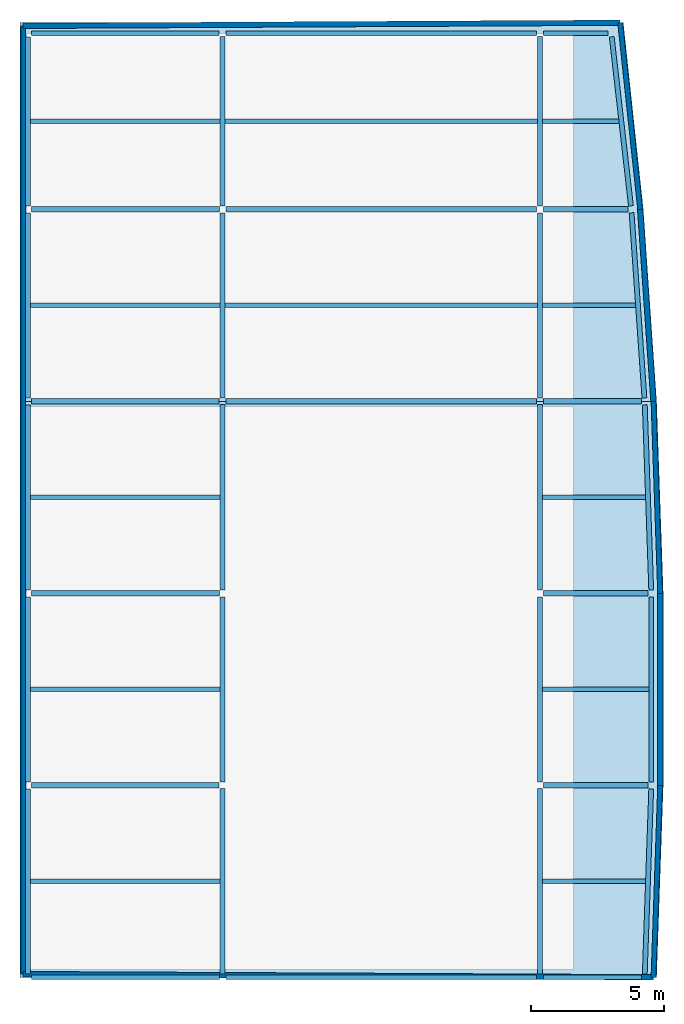
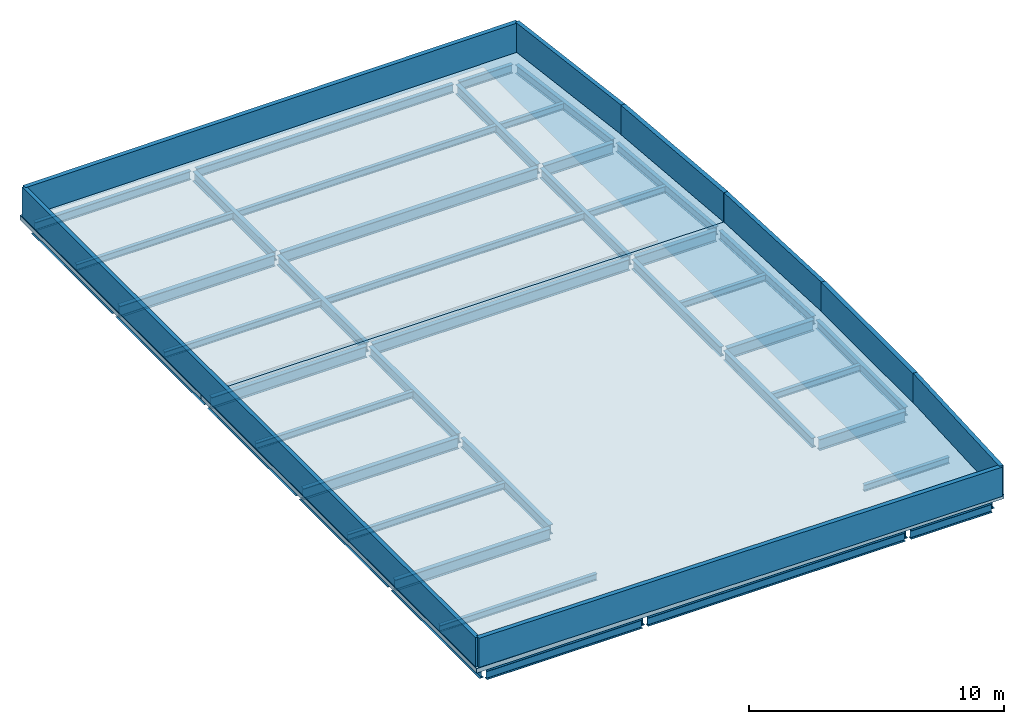
# One storey, part 1 of 2: 48 beams, 8 walls, 2 slabs.
"""IFC4 building model written with IfcOpenShell, lengths in metres."""

from ifc_helpers import new_model, si_unit, direction, frame, frame_2d, origin, origin_2d, place, context, subcontext, project, spatial, polyline, rectangle, i_section, outline, extrude, material, layer, layer_set, material_profile, profile_set, type_object, element, save


model = new_model("IFC4")

# Units and contexts
model_context = context("Model", 3, precision=1e-05, world=origin(), true_north=direction((0.0, 1.0)))
body_context = subcontext(model_context, "Body", "Model", "MODEL_VIEW")
ifc_project = project(units=[si_unit("LENGTHUNIT", "METRE"), si_unit("AREAUNIT", "SQUARE_METRE"), si_unit("VOLUMEUNIT", "CUBIC_METRE"), si_unit("PLANEANGLEUNIT", "RADIAN"), si_unit("MASSUNIT", "GRAM", prefix="KILO")], contexts=[model_context])

# Site, building, storey
site_placement = place(None, origin())
site = spatial("IfcSite", under=ifc_project, at=site_placement, CompositionType="ELEMENT")
building_placement = place(site_placement, origin())
building = spatial("IfcBuilding", under=site, at=building_placement, Name="Quillay Park Conservatory", CompositionType="ELEMENT")
storey_placement = place(building_placement, frame((0.0, 0.0, 68.699951171875)))
storey = spatial("IfcBuildingStorey", under=building, at=storey_placement, Name="RF", CompositionType="ELEMENT", Elevation=68.699951171875)

# Beams
ifc_material_1 = material(Name="Steel ASTM A992 Grade 50", Category="steel")
ifc_material_profile_1 = material_profile(ifc_material_1, i_section(OverallWidth=0.166015625, OverallDepth=0.31298828125, WebThickness=0.006591796875, FlangeThickness=0.01123046875, FilletRadius=0.010009765625, at=origin_2d()), Name="W310x45")
ifc_profile_set_1 = profile_set([ifc_material_profile_1], Name="Steel ASTM A992 Grade 50")
beam_type_1 = type_object("IfcBeamType", Name="COMPOSITE FLOOR JOIST W310 X45", PredefinedType="JOIST", material=ifc_profile_set_1)
beam_1_placement = place(storey_placement, frame((0.639892578125, 81.60009765625, -0.371337890625), z_axis=(1.0, 0.0, 0.0), x_axis=(0.0, 1.0, 0.0)))
element("IfcBeam", 1, at=beam_1_placement, inside=storey, type_object=beam_type_1, Name="RF beam BM-J-1068", PredefinedType="JOIST", context=body_context, shape_type="SweptSolid", body=[
    extrude(i_section(OverallWidth=0.166015625, OverallDepth=0.31298828125, WebThickness=0.006591796875, FlangeThickness=0.01123046875, FilletRadius=0.010009765625, at=origin_2d()), origin(), (0.0, 0.0, 1.0), 7.114013671875),
])
beam_2_placement = place(storey_placement, frame((19.845947265625, 81.60009765625, -0.371337890625), z_axis=(1.0, 0.0, 0.0), x_axis=(0.0, 1.0, 0.0)))
element("IfcBeam", 2, at=beam_2_placement, inside=storey, type_object=beam_type_1, Name="RF beam BM-J-1069", PredefinedType="JOIST", context=body_context, shape_type="SweptSolid", body=[
    extrude(i_section(OverallWidth=0.166015625, OverallDepth=0.31298828125, WebThickness=0.006591796875, FlangeThickness=0.01123046875, FilletRadius=0.010009765625, at=origin_2d()), origin(), (0.0, 0.0, 1.0), 3.864013671875),
])
beam_3_placement = place(storey_placement, frame((0.639892578125, 88.800048828125, -0.371337890625), z_axis=(1.0, 0.0, 0.0), x_axis=(0.0, 1.0, 0.0)))
element("IfcBeam", 3, at=beam_3_placement, inside=storey, type_object=beam_type_1, Name="RF beam BM-J-1074", PredefinedType="JOIST", context=body_context, shape_type="SweptSolid", body=[
    extrude(i_section(OverallWidth=0.166015625, OverallDepth=0.31298828125, WebThickness=0.006591796875, FlangeThickness=0.01123046875, FilletRadius=0.010009765625, at=origin_2d()), origin(), (0.0, 0.0, 1.0), 7.114013671875),
])
beam_4_placement = place(storey_placement, frame((19.845947265625, 88.800048828125, -0.371337890625), z_axis=(1.0, 0.0, 0.0), x_axis=(0.0, 1.0, 0.0)))
element("IfcBeam", 4, at=beam_4_placement, inside=storey, type_object=beam_type_1, Name="RF beam BM-J-1075", PredefinedType="JOIST", context=body_context, shape_type="SweptSolid", body=[
    extrude(i_section(OverallWidth=0.166015625, OverallDepth=0.31298828125, WebThickness=0.006591796875, FlangeThickness=0.01123046875, FilletRadius=0.010009765625, at=origin_2d()), origin(), (0.0, 0.0, 1.0), 3.989013671875),
])
beam_5_placement = place(storey_placement, frame((0.639892578125, 96.0, -0.371337890625), z_axis=(1.0, 0.0, 0.0), x_axis=(0.0, 1.0, 0.0)))
element("IfcBeam", 5, at=beam_5_placement, inside=storey, type_object=beam_type_1, Name="RF beam BM-J-1080", PredefinedType="JOIST", context=body_context, shape_type="SweptSolid", body=[
    extrude(i_section(OverallWidth=0.166015625, OverallDepth=0.31298828125, WebThickness=0.006591796875, FlangeThickness=0.01123046875, FilletRadius=0.010009765625, at=origin_2d()), origin(), (0.0, 0.0, 1.0), 7.114013671875),
])
beam_6_placement = place(storey_placement, frame((19.845947265625, 96.0, -0.371337890625), z_axis=(1.0, 0.0, 0.0), x_axis=(0.0, 1.0, 0.0)))
element("IfcBeam", 6, at=beam_6_placement, inside=storey, type_object=beam_type_1, Name="RF beam BM-J-1081", PredefinedType="JOIST", context=body_context, shape_type="SweptSolid", body=[
    extrude(i_section(OverallWidth=0.166015625, OverallDepth=0.31298828125, WebThickness=0.006591796875, FlangeThickness=0.01123046875, FilletRadius=0.010009765625, at=origin_2d()), origin(), (0.0, 0.0, 1.0), 3.864013671875),
])
beam_7_placement = place(storey_placement, frame((0.639892578125, 103.199951171875, -0.371337890625), z_axis=(1.0, 0.0, 0.0), x_axis=(0.0, 1.0, 0.0)))
element("IfcBeam", 7, at=beam_7_placement, inside=storey, type_object=beam_type_1, Name="RF beam BM-J-1086", PredefinedType="JOIST", context=body_context, shape_type="SweptSolid", body=[
    extrude(i_section(OverallWidth=0.166015625, OverallDepth=0.31298828125, WebThickness=0.006591796875, FlangeThickness=0.01123046875, FilletRadius=0.010009765625, at=origin_2d()), origin(), (0.0, 0.0, 1.0), 7.114013671875),
])
beam_8_placement = place(storey_placement, frame((19.845947265625, 103.199951171875, -0.371337890625), z_axis=(1.0, 0.0, 0.0), x_axis=(0.0, 1.0, 0.0)))
element("IfcBeam", 8, at=beam_8_placement, inside=storey, type_object=beam_type_1, Name="RF beam BM-J-1087", PredefinedType="JOIST", context=body_context, shape_type="SweptSolid", body=[
    extrude(i_section(OverallWidth=0.166015625, OverallDepth=0.31298828125, WebThickness=0.006591796875, FlangeThickness=0.01123046875, FilletRadius=0.010009765625, at=origin_2d()), origin(), (0.0, 0.0, 1.0), 3.489013671875),
])
beam_9_placement = place(storey_placement, frame((7.946044921875, 103.199951171875, -0.371337890625), z_axis=(1.0, 0.0, 0.0), x_axis=(0.0, 1.0, 0.0)))
element("IfcBeam", 9, at=beam_9_placement, inside=storey, type_object=beam_type_1, Name="RF beam BM-J-1088", PredefinedType="JOIST", context=body_context, shape_type="SweptSolid", body=[
    extrude(i_section(OverallWidth=0.166015625, OverallDepth=0.31298828125, WebThickness=0.006591796875, FlangeThickness=0.01123046875, FilletRadius=0.010009765625, at=origin_2d()), origin(), (0.0, 0.0, 1.0), 11.7080078125),
])
beam_10_placement = place(storey_placement, frame((0.639892578125, 110.10009765625, -0.371337890625), z_axis=(1.0, 0.0, 0.0), x_axis=(0.0, 1.0, 0.0)))
element("IfcBeam", 10, at=beam_10_placement, inside=storey, type_object=beam_type_1, Name="RF beam BM-J-1093", PredefinedType="JOIST", context=body_context, shape_type="SweptSolid", body=[
    extrude(i_section(OverallWidth=0.166015625, OverallDepth=0.31298828125, WebThickness=0.006591796875, FlangeThickness=0.01123046875, FilletRadius=0.010009765625, at=origin_2d()), origin(), (0.0, 0.0, 1.0), 7.114013671875),
])
beam_11_placement = place(storey_placement, frame((19.845947265625, 110.10009765625, -0.371337890625), z_axis=(1.0, 0.0, 0.0), x_axis=(0.0, 1.0, 0.0)))
element("IfcBeam", 11, at=beam_11_placement, inside=storey, type_object=beam_type_1, Name="RF beam BM-J-1094", PredefinedType="JOIST", context=body_context, shape_type="SweptSolid", body=[
    extrude(i_section(OverallWidth=0.166015625, OverallDepth=0.31298828125, WebThickness=0.006591796875, FlangeThickness=0.01123046875, FilletRadius=0.010009765625, at=origin_2d()), origin(), (0.0, 0.0, 1.0), 2.864013671875),
])
beam_12_placement = place(storey_placement, frame((7.946044921875, 110.10009765625, -0.371337890625), z_axis=(1.0, 0.0, 0.0), x_axis=(0.0, 1.0, 0.0)))
element("IfcBeam", 12, at=beam_12_placement, inside=storey, type_object=beam_type_1, Name="RF beam BM-J-1095", PredefinedType="JOIST", context=body_context, shape_type="SweptSolid", body=[
    extrude(i_section(OverallWidth=0.166015625, OverallDepth=0.31298828125, WebThickness=0.006591796875, FlangeThickness=0.01123046875, FilletRadius=0.010009765625, at=origin_2d()), origin(), (0.0, 0.0, 1.0), 11.7080078125),
])
ifc_material_2 = material(Name="Steel ASTM A992 Grade 50", Category="steel")
ifc_material_profile_2 = material_profile(ifc_material_2, i_section(OverallWidth=0.179931640625, OverallDepth=0.4130859375, WebThickness=0.009765625, FlangeThickness=0.01611328125, FilletRadius=0.011962890625, at=origin_2d()), Name="W410x74")
ifc_profile_set_2 = profile_set([ifc_material_profile_2], Name="Steel ASTM A992 Grade 50")
beam_type_2 = type_object("IfcBeamType", Name="PERIMETER SPANDREL BEAM W410 X74", PredefinedType="SPANDREL", material=ifc_profile_set_2)
beam_13_placement = place(storey_placement, frame((0.677978515625, 78.0, -0.42138671875), z_axis=(1.0, 0.0, 0.0), x_axis=(0.0, 1.0, 0.0)))
element("IfcBeam", 13, at=beam_13_placement, inside=storey, type_object=beam_type_2, Name="RF beam BM-SP-1048", PredefinedType="SPANDREL", context=body_context, shape_type="SweptSolid", body=[
    extrude(i_section(OverallWidth=0.179931640625, OverallDepth=0.4130859375, WebThickness=0.009765625, FlangeThickness=0.01611328125, FilletRadius=0.011962890625, at=origin_2d()), origin(), (0.0, 0.0, 1.0), 7.0439453125),
])
beam_14_placement = place(storey_placement, frame((7.97802734375, 78.0, -0.42138671875), z_axis=(1.0, 0.0, 0.0), x_axis=(0.0, 1.0, 0.0)))
element("IfcBeam", 14, at=beam_14_placement, inside=storey, type_object=beam_type_2, Name="RF beam BM-SP-1049", PredefinedType="SPANDREL", context=body_context, shape_type="SweptSolid", body=[
    extrude(i_section(OverallWidth=0.179931640625, OverallDepth=0.4130859375, WebThickness=0.009765625, FlangeThickness=0.01611328125, FilletRadius=0.011962890625, at=origin_2d()), origin(), (0.0, 0.0, 1.0), 11.64404296875),
])
beam_15_placement = place(storey_placement, frame((19.8779296875, 78.0, -0.42138671875), z_axis=(1.0, 0.0, 0.0), x_axis=(0.0, 1.0, 0.0)))
element("IfcBeam", 15, at=beam_15_placement, inside=storey, type_object=beam_type_2, Name="RF beam BM-SP-1050", PredefinedType="SPANDREL", context=body_context, shape_type="SweptSolid", body=[
    extrude(i_section(OverallWidth=0.179931640625, OverallDepth=0.4130859375, WebThickness=0.009765625, FlangeThickness=0.01611328125, FilletRadius=0.011962890625, at=origin_2d()), origin(), (0.0, 0.0, 1.0), 3.669189453125),
])
beam_16_placement = place(storey_placement, frame((0.677978515625, 113.39990234375, -0.42138671875), z_axis=(1.0, 0.0, 0.0), x_axis=(0.0, 1.0, 0.0)))
element("IfcBeam", 16, at=beam_16_placement, inside=storey, type_object=beam_type_2, Name="RF beam BM-SP-1061", PredefinedType="SPANDREL", context=body_context, shape_type="SweptSolid", body=[
    extrude(i_section(OverallWidth=0.179931640625, OverallDepth=0.4130859375, WebThickness=0.009765625, FlangeThickness=0.01611328125, FilletRadius=0.011962890625, at=origin_2d()), origin(), (0.0, 0.0, 1.0), 7.0419921875),
])
beam_17_placement = place(storey_placement, frame((7.97998046875, 113.39990234375, -0.42138671875), z_axis=(1.0, 0.0, 0.0), x_axis=(0.0, 1.0, 0.0)))
element("IfcBeam", 17, at=beam_17_placement, inside=storey, type_object=beam_type_2, Name="RF beam BM-SP-1062", PredefinedType="SPANDREL", context=body_context, shape_type="SweptSolid", body=[
    extrude(i_section(OverallWidth=0.179931640625, OverallDepth=0.4130859375, WebThickness=0.009765625, FlangeThickness=0.01611328125, FilletRadius=0.011962890625, at=origin_2d()), origin(), (0.0, 0.0, 1.0), 11.64013671875),
])
beam_18_placement = place(storey_placement, frame((19.8798828125, 113.39990234375, -0.42138671875), z_axis=(1.0, 0.0, 0.0), x_axis=(0.0, 1.0, 0.0)))
element("IfcBeam", 18, at=beam_18_placement, inside=storey, type_object=beam_type_2, Name="RF beam BM-SP-1063", PredefinedType="SPANDREL", context=body_context, shape_type="SweptSolid", body=[
    extrude(i_section(OverallWidth=0.179931640625, OverallDepth=0.4130859375, WebThickness=0.009765625, FlangeThickness=0.01611328125, FilletRadius=0.011962890625, at=origin_2d()), origin(), (0.0, 0.0, 1.0), 2.417236328125),
])
beam_19_placement = place(storey_placement, frame((0.550048828125, 78.1298828125, -0.42138671875), z_axis=(0.0, 1.0, 0.0), x_axis=(-1.0, 0.0, 0.0)))
element("IfcBeam", 19, at=beam_19_placement, inside=storey, type_object=beam_type_2, Name="RF beam BM-SPW-1064", PredefinedType="SPANDREL", context=body_context, shape_type="SweptSolid", body=[
    extrude(i_section(OverallWidth=0.179931640625, OverallDepth=0.4130859375, WebThickness=0.009765625, FlangeThickness=0.01611328125, FilletRadius=0.011962890625, at=origin_2d()), origin(), (0.0, 0.0, 1.0), 6.940185546875),
])
beam_20_placement = place(storey_placement, frame((23.679443359375, 78.1298828125, -0.42138671875), z_axis=(0.034699603061, 0.999397787444, 0.0), x_axis=(-0.999397787444, 0.034699603061, 0.0)))
element("IfcBeam", 20, at=beam_20_placement, inside=storey, type_object=beam_type_2, Name="RF beam BM-SPE-1065", PredefinedType="SPANDREL", context=body_context, shape_type="SweptSolid", body=[
    extrude(i_section(OverallWidth=0.179931640625, OverallDepth=0.4130859375, WebThickness=0.009765625, FlangeThickness=0.01611328125, FilletRadius=0.011962890625, at=origin_2d()), origin(), (0.0, 0.0, 1.0), 6.9443359375),
])
for number, where, z_axis, x_axis, name in (
    (21, (0.550048828125, 85.330078125, -0.42138671875), (0.0, 1.0, 0.0), (-1.0, 0.0, 0.0), "RF beam BM-SPW-1070"),
    (22, (23.925048828125, 85.330078125, -0.42138671875), (0.0, 1.0, 0.0), (-1.0, 0.0, 0.0), "RF beam BM-SPE-1071"),
    (23, (0.550048828125, 92.530029296875, -0.42138671875), (0.0, 1.0, 0.0), (-1.0, 0.0, 0.0), "RF beam BM-SPW-1076"),
):
    element("IfcBeam", number, at=place(storey_placement, frame(where, z_axis=z_axis, x_axis=x_axis)), inside=storey, type_object=beam_type_2, Name=name, PredefinedType="SPANDREL", context=body_context, shape_type="SweptSolid", body=[
        extrude(i_section(OverallWidth=0.179931640625, OverallDepth=0.4130859375, WebThickness=0.009765625, FlangeThickness=0.01611328125, FilletRadius=0.011962890625, at=origin_2d()), origin(), (0.0, 0.0, 1.0), 6.93994140625),
    ])
beam_21_placement = place(storey_placement, frame((23.92041015625, 92.52978515625, -0.42138671875), z_axis=(-0.034698383917, 0.999397829772, 0.0), x_axis=(-0.999397829772, -0.034698383917, 0.0)))
element("IfcBeam", 24, at=beam_21_placement, inside=storey, type_object=beam_type_2, Name="RF beam BM-SPE-1077", PredefinedType="SPANDREL", context=body_context, shape_type="SweptSolid", body=[
    extrude(i_section(OverallWidth=0.179931640625, OverallDepth=0.4130859375, WebThickness=0.009765625, FlangeThickness=0.01611328125, FilletRadius=0.011962890625, at=origin_2d()), origin(), (0.0, 0.0, 1.0), 6.944580078125),
])
beam_22_placement = place(storey_placement, frame((0.550048828125, 99.72998046875, -0.42138671875), z_axis=(0.0, 1.0, 0.0), x_axis=(-1.0, 0.0, 0.0)))
element("IfcBeam", 25, at=beam_22_placement, inside=storey, type_object=beam_type_2, Name="RF beam BM-SPW-1082", PredefinedType="SPANDREL", context=body_context, shape_type="SweptSolid", body=[
    extrude(i_section(OverallWidth=0.179931640625, OverallDepth=0.4130859375, WebThickness=0.009765625, FlangeThickness=0.01611328125, FilletRadius=0.011962890625, at=origin_2d()), origin(), (0.0, 0.0, 1.0), 6.93994140625),
])
beam_23_placement = place(storey_placement, frame((23.666015625, 99.729736328125, -0.42138671875), z_axis=(-0.069269353099, 0.997597993543, 0.0), x_axis=(-0.997597993543, -0.069269353099, 0.0)))
element("IfcBeam", 26, at=beam_23_placement, inside=storey, type_object=beam_type_2, Name="RF beam BM-SPE-1083", PredefinedType="SPANDREL", context=body_context, shape_type="SweptSolid", body=[
    extrude(i_section(OverallWidth=0.179931640625, OverallDepth=0.4130859375, WebThickness=0.009765625, FlangeThickness=0.01611328125, FilletRadius=0.011962890625, at=origin_2d()), origin(), (0.0, 0.0, 1.0), 6.957275390625),
])
beam_24_placement = place(storey_placement, frame((0.550048828125, 106.929931640625, -0.42138671875), z_axis=(0.0, 1.0, 0.0), x_axis=(-1.0, 0.0, 0.0)))
element("IfcBeam", 27, at=beam_24_placement, inside=storey, type_object=beam_type_2, Name="RF beam BM-SPW-1089", PredefinedType="SPANDREL", context=body_context, shape_type="SweptSolid", body=[
    extrude(i_section(OverallWidth=0.179931640625, OverallDepth=0.4130859375, WebThickness=0.009765625, FlangeThickness=0.01611328125, FilletRadius=0.011962890625, at=origin_2d()), origin(), (0.0, 0.0, 1.0), 6.340087890625),
])
beam_25_placement = place(storey_placement, frame((23.160400390625, 106.92919921875, -0.42138671875), z_axis=(-0.112920845776, 0.993603986802, 0.0), x_axis=(-0.993603986802, -0.112920845776, 0.0)))
element("IfcBeam", 28, at=beam_25_placement, inside=storey, type_object=beam_type_2, Name="RF beam BM-SPE-1090", PredefinedType="SPANDREL", context=body_context, shape_type="SweptSolid", body=[
    extrude(i_section(OverallWidth=0.179931640625, OverallDepth=0.4130859375, WebThickness=0.009765625, FlangeThickness=0.01611328125, FilletRadius=0.011962890625, at=origin_2d()), origin(), (0.0, 0.0, 1.0), 6.38232421875),
])
ifc_material_3 = material(Name="Steel ASTM A992 Grade 50", Category="steel")
ifc_material_profile_3 = material_profile(ifc_material_3, i_section(OverallWidth=0.19189453125, OverallDepth=0.462890625, WebThickness=0.010498046875, FlangeThickness=0.017578125, FilletRadius=0.012939453125, at=origin_2d()), Name="W460x89")
ifc_profile_set_3 = profile_set([ifc_material_profile_3], Name="Steel ASTM A992 Grade 50")
beam_type_3 = type_object("IfcBeamType", Name="PRIMARY FLOOR GIRDER W460 X89", PredefinedType="BEAM", material=ifc_profile_set_3)
for number, where, z_axis, x_axis, name in (
    (29, (7.85009765625, 78.1298828125, -0.446533203125), (0.0, 1.0, 0.0), (-1.0, 0.0, 0.0), "RF beam BM-GNS-1066"),
    (30, (19.75, 78.1298828125, -0.446533203125), (0.0, 1.0, 0.0), (-1.0, 0.0, 0.0), "RF beam BM-GNS-1067"),
    (31, (7.85009765625, 85.327880859375, -0.446533203125), (0.0, 1.0, 0.0), (-1.0, 0.0, 0.0), "RF beam BM-GNS-1072"),
    (32, (19.75, 85.327880859375, -0.446533203125), (0.0, 1.0, 0.0), (-1.0, 0.0, 0.0), "RF beam BM-GNS-1073"),
):
    element("IfcBeam", number, at=place(storey_placement, frame(where, z_axis=z_axis, x_axis=x_axis)), inside=storey, type_object=beam_type_3, Name=name, PredefinedType="BEAM", context=body_context, shape_type="SweptSolid", body=[
        extrude(i_section(OverallWidth=0.19189453125, OverallDepth=0.462890625, WebThickness=0.010498046875, FlangeThickness=0.017578125, FilletRadius=0.012939453125, at=origin_2d()), origin(), (0.0, 0.0, 1.0), 6.942138671875),
    ])
for number, where, z_axis, x_axis, name in (
    (33, (7.85009765625, 92.530029296875, -0.446533203125), (0.0, 1.0, 0.0), (-1.0, 0.0, 0.0), "RF beam BM-GNS-1078"),
    (34, (19.75, 92.530029296875, -0.446533203125), (0.0, 1.0, 0.0), (-1.0, 0.0, 0.0), "RF beam BM-GNS-1079"),
    (35, (7.85009765625, 99.72802734375, -0.446533203125), (0.0, 1.0, 0.0), (-1.0, 0.0, 0.0), "RF beam BM-GNS-1084"),
    (36, (19.75, 99.72802734375, -0.446533203125), (0.0, 1.0, 0.0), (-1.0, 0.0, 0.0), "RF beam BM-GNS-1085"),
):
    element("IfcBeam", number, at=place(storey_placement, frame(where, z_axis=z_axis, x_axis=x_axis)), inside=storey, type_object=beam_type_3, Name=name, PredefinedType="BEAM", context=body_context, shape_type="SweptSolid", body=[
        extrude(i_section(OverallWidth=0.19189453125, OverallDepth=0.462890625, WebThickness=0.010498046875, FlangeThickness=0.017578125, FilletRadius=0.012939453125, at=origin_2d()), origin(), (0.0, 0.0, 1.0), 6.94189453125),
    ])
for number, where, z_axis, x_axis, name in (
    (37, (7.85009765625, 106.929931640625, -0.446533203125), (0.0, 1.0, 0.0), (-1.0, 0.0, 0.0), "RF beam BM-GNS-1091"),
    (38, (19.75, 106.929931640625, -0.446533203125), (0.0, 1.0, 0.0), (-1.0, 0.0, 0.0), "RF beam BM-GNS-1092"),
):
    element("IfcBeam", number, at=place(storey_placement, frame(where, z_axis=z_axis, x_axis=x_axis)), inside=storey, type_object=beam_type_3, Name=name, PredefinedType="BEAM", context=body_context, shape_type="SweptSolid", body=[
        extrude(i_section(OverallWidth=0.19189453125, OverallDepth=0.462890625, WebThickness=0.010498046875, FlangeThickness=0.017578125, FilletRadius=0.012939453125, at=origin_2d()), origin(), (0.0, 0.0, 1.0), 6.342041015625),
    ])
ifc_material_4 = material(Name="Steel ASTM A992 Grade 50", Category="steel")
ifc_material_profile_4 = material_profile(ifc_material_4, i_section(OverallWidth=0.2109375, OverallDepth=0.5390625, WebThickness=0.01171875, FlangeThickness=0.018798828125, FilletRadius=0.013916015625, at=origin_2d()), Name="W530x109")
ifc_profile_set_4 = profile_set([ifc_material_profile_4], Name="Steel ASTM A992 Grade 50")
beam_type_4 = type_object("IfcBeamType", Name="PRIMARY FLOOR GIRDER W530 X109", PredefinedType="BEAM", material=ifc_profile_set_4)
beam_26_placement = place(storey_placement, frame((0.677978515625, 85.199951171875, -0.484375), z_axis=(1.0, 0.0, 0.0), x_axis=(0.0, 1.0, 0.0)))
element("IfcBeam", 39, at=beam_26_placement, inside=storey, type_object=beam_type_4, Name="RF beam BM-G-1051", PredefinedType="BEAM", context=body_context, shape_type="SweptSolid", body=[
    extrude(i_section(OverallWidth=0.2109375, OverallDepth=0.5390625, WebThickness=0.01171875, FlangeThickness=0.018798828125, FilletRadius=0.013916015625, at=origin_2d()), origin(), (0.0, 0.0, 1.0), 7.0419921875),
])
beam_27_placement = place(storey_placement, frame((19.8798828125, 85.199951171875, -0.484375), z_axis=(1.0, 0.0, 0.0), x_axis=(0.0, 1.0, 0.0)))
element("IfcBeam", 40, at=beam_27_placement, inside=storey, type_object=beam_type_4, Name="RF beam BM-G-1052", PredefinedType="BEAM", context=body_context, shape_type="SweptSolid", body=[
    extrude(i_section(OverallWidth=0.2109375, OverallDepth=0.5390625, WebThickness=0.01171875, FlangeThickness=0.018798828125, FilletRadius=0.013916015625, at=origin_2d()), origin(), (0.0, 0.0, 1.0), 3.917236328125),
])
beam_28_placement = place(storey_placement, frame((0.677978515625, 92.39990234375, -0.484375), z_axis=(1.0, 0.0, 0.0), x_axis=(0.0, 1.0, 0.0)))
element("IfcBeam", 41, at=beam_28_placement, inside=storey, type_object=beam_type_4, Name="RF beam BM-G-1053", PredefinedType="BEAM", context=body_context, shape_type="SweptSolid", body=[
    extrude(i_section(OverallWidth=0.2109375, OverallDepth=0.5390625, WebThickness=0.01171875, FlangeThickness=0.018798828125, FilletRadius=0.013916015625, at=origin_2d()), origin(), (0.0, 0.0, 1.0), 7.0439453125),
])
beam_29_placement = place(storey_placement, frame((19.8779296875, 92.39990234375, -0.484375), z_axis=(1.0, 0.0, 0.0), x_axis=(0.0, 1.0, 0.0)))
element("IfcBeam", 42, at=beam_29_placement, inside=storey, type_object=beam_type_4, Name="RF beam BM-G-1054", PredefinedType="BEAM", context=body_context, shape_type="SweptSolid", body=[
    extrude(i_section(OverallWidth=0.2109375, OverallDepth=0.5390625, WebThickness=0.01171875, FlangeThickness=0.018798828125, FilletRadius=0.013916015625, at=origin_2d()), origin(), (0.0, 0.0, 1.0), 3.919189453125),
])
beam_30_placement = place(storey_placement, frame((0.677978515625, 99.60009765625, -0.484375), z_axis=(1.0, 0.0, 0.0), x_axis=(0.0, 1.0, 0.0)))
element("IfcBeam", 43, at=beam_30_placement, inside=storey, type_object=beam_type_4, Name="RF beam BM-G-1055", PredefinedType="BEAM", context=body_context, shape_type="SweptSolid", body=[
    extrude(i_section(OverallWidth=0.2109375, OverallDepth=0.5390625, WebThickness=0.01171875, FlangeThickness=0.018798828125, FilletRadius=0.013916015625, at=origin_2d()), origin(), (0.0, 0.0, 1.0), 7.0419921875),
])
beam_31_placement = place(storey_placement, frame((7.97998046875, 99.60009765625, -0.484375), z_axis=(1.0, 0.0, 0.0), x_axis=(0.0, 1.0, 0.0)))
element("IfcBeam", 44, at=beam_31_placement, inside=storey, type_object=beam_type_4, Name="RF beam BM-G-1056", PredefinedType="BEAM", context=body_context, shape_type="SweptSolid", body=[
    extrude(i_section(OverallWidth=0.2109375, OverallDepth=0.5390625, WebThickness=0.01171875, FlangeThickness=0.018798828125, FilletRadius=0.013916015625, at=origin_2d()), origin(), (0.0, 0.0, 1.0), 11.64013671875),
])
beam_32_placement = place(storey_placement, frame((19.8798828125, 99.60009765625, -0.484375), z_axis=(1.0, 0.0, 0.0), x_axis=(0.0, 1.0, 0.0)))
element("IfcBeam", 45, at=beam_32_placement, inside=storey, type_object=beam_type_4, Name="RF beam BM-G-1057", PredefinedType="BEAM", context=body_context, shape_type="SweptSolid", body=[
    extrude(i_section(OverallWidth=0.2109375, OverallDepth=0.5390625, WebThickness=0.01171875, FlangeThickness=0.018798828125, FilletRadius=0.013916015625, at=origin_2d()), origin(), (0.0, 0.0, 1.0), 3.667236328125),
])
beam_33_placement = place(storey_placement, frame((0.677978515625, 106.800048828125, -0.484375), z_axis=(1.0, 0.0, 0.0), x_axis=(0.0, 1.0, 0.0)))
element("IfcBeam", 46, at=beam_33_placement, inside=storey, type_object=beam_type_4, Name="RF beam BM-G-1058", PredefinedType="BEAM", context=body_context, shape_type="SweptSolid", body=[
    extrude(i_section(OverallWidth=0.2109375, OverallDepth=0.5390625, WebThickness=0.01171875, FlangeThickness=0.018798828125, FilletRadius=0.013916015625, at=origin_2d()), origin(), (0.0, 0.0, 1.0), 7.0439453125),
])
beam_34_placement = place(storey_placement, frame((7.97802734375, 106.800048828125, -0.484375), z_axis=(1.0, 0.0, 0.0), x_axis=(0.0, 1.0, 0.0)))
element("IfcBeam", 47, at=beam_34_placement, inside=storey, type_object=beam_type_4, Name="RF beam BM-G-1059", PredefinedType="BEAM", context=body_context, shape_type="SweptSolid", body=[
    extrude(i_section(OverallWidth=0.2109375, OverallDepth=0.5390625, WebThickness=0.01171875, FlangeThickness=0.018798828125, FilletRadius=0.013916015625, at=origin_2d()), origin(), (0.0, 0.0, 1.0), 11.64404296875),
])
beam_35_placement = place(storey_placement, frame((19.8779296875, 106.800048828125, -0.484375), z_axis=(1.0, 0.0, 0.0), x_axis=(0.0, 1.0, 0.0)))
element("IfcBeam", 48, at=beam_35_placement, inside=storey, type_object=beam_type_4, Name="RF beam BM-G-1060", PredefinedType="BEAM", context=body_context, shape_type="SweptSolid", body=[
    extrude(i_section(OverallWidth=0.2109375, OverallDepth=0.5390625, WebThickness=0.01171875, FlangeThickness=0.018798828125, FilletRadius=0.013916015625, at=origin_2d()), origin(), (0.0, 0.0, 1.0), 3.169189453125),
])

# Slabs
ifc_material_5 = material(Name="Concrete C35/45 (NCh170 Concrete C35/45)", Category="concrete")
ifc_layer_1 = layer(ifc_material_5, 0.215087890625)
ifc_layer_set_1 = layer_set([ifc_layer_1], Name="FLAT ROOF SLAB 215 (Concrete C35/45 (NCh170 Concrete C35/45))")
slab_type = type_object("IfcSlabType", Name="FLAT ROOF SLAB 215", PredefinedType="ROOF", material=ifc_layer_set_1)
slab_1_placement = place(storey_placement, frame((0.0, 0.0, -0.21484375)))
element("IfcSlab", 49, at=slab_1_placement, inside=storey, type_object=slab_type, Name="RF Tower Main Roof South Slab", PredefinedType="ROOF", context=body_context, shape_type="SweptSolid", body=[
    extrude(outline(polyline([(0.25, 78.0), (24.125, 78.0), (24.375, 85.199951171875), (24.375, 92.39990234375), (24.125, 99.60009765625), (0.25, 99.60009765625), (0.25, 78.0)])), origin(), (0.0, 0.0, 1.0), 0.21484375),
])
slab_2_placement = place(storey_placement, frame((0.0, 0.0, -0.21484375)))
element("IfcSlab", 50, at=slab_2_placement, inside=storey, type_object=slab_type, Name="RF Tower Main Roof North Slab", PredefinedType="ROOF", context=body_context, shape_type="SweptSolid", body=[
    extrude(outline(polyline([(0.25, 99.60009765625), (24.125, 99.60009765625), (23.625, 106.800048828125), (22.875, 113.800048828125), (0.25, 113.800048828125), (0.25, 99.60009765625)])), origin(), (0.0, 0.0, 1.0), 0.21484375),
])

# Walls
ifc_material_6 = material(Name="Concrete C35/45 (NCh170 Concrete C35/45)", Category="concrete")
ifc_layer_2 = layer(ifc_material_6, 0.179931640625)
ifc_layer_set_2 = layer_set([ifc_layer_2], Name="ROOF PARAPET WALL 180 (Concrete C35/45 (NCh170 Concrete C35/45))")
wall_type_1 = type_object("IfcWallType", Name="ROOF PARAPET WALL 180", PredefinedType="PARAPET", material=ifc_layer_set_2)
wall_1_placement = place(storey_placement, frame((24.0048828125, 78.0, 0.0), z_axis=(0.0, 0.0, 1.0), x_axis=(0.034701545058, 0.999397720015, 0.0)))
element("IfcWall", 51, at=wall_1_placement, inside=storey, type_object=wall_type_1, Name="RF Crown Parapet Wall 02", PredefinedType="PARAPET", context=body_context, shape_type="SweptSolid", body=[
    extrude(rectangle(XDim=7.204345703125, YDim=0.179931640625, at=frame_2d((3.60205078125, 0.0))), origin(), (0.0, 0.0, 1.0), 1.400146484375),
])
wall_2_placement = place(storey_placement, frame((24.2548828125, 92.39990234375, 0.0), z_axis=(0.0, 0.0, 1.0), x_axis=(-0.034700369832, 0.999397760821, 0.0)))
element("IfcWall", 52, at=wall_2_placement, inside=storey, type_object=wall_type_1, Name="RF Crown Parapet Wall 04", PredefinedType="PARAPET", context=body_context, shape_type="SweptSolid", body=[
    extrude(rectangle(XDim=7.20458984375, YDim=0.179931640625, at=frame_2d((3.602294921875, 0.0))), origin(), (0.0, 0.0, 1.0), 1.400146484375),
])
wall_3_placement = place(storey_placement, frame((23.5048828125, 106.800048828125, 0.0), z_axis=(0.0, 0.0, 1.0), x_axis=(-0.106533123634, 0.99430915392, 0.0)))
element("IfcWall", 53, at=wall_3_placement, inside=storey, type_object=wall_type_1, Name="RF Crown Parapet Wall 06", PredefinedType="PARAPET", context=body_context, shape_type="SweptSolid", body=[
    extrude(rectangle(XDim=7.0400390625, YDim=0.179931640625, at=frame_2d((3.52001953125, 0.0))), origin(), (0.0, 0.0, 1.0), 1.400146484375),
])
wall_4_placement = place(storey_placement, frame((0.3701171875, 113.679931640625, 0.0), z_axis=(0.0, 0.0, 1.0), x_axis=(0.0, -1.0, 0.0)))
element("IfcWall", 54, at=wall_4_placement, inside=storey, type_object=wall_type_1, Name="RF Crown Parapet Wall 08", PredefinedType="PARAPET", context=body_context, shape_type="SweptSolid", body=[
    extrude(rectangle(XDim=35.559814453125, YDim=0.179931640625, at=frame_2d((17.77978515625, 0.0))), origin(), (0.0, 0.0, 1.0), 1.400146484375),
])
ifc_material_7 = material(Name="Concrete C35/45 (NCh170 Concrete C35/45)", Category="concrete")
ifc_layer_3 = layer(ifc_material_7, 0.199951171875)
ifc_layer_set_3 = layer_set([ifc_layer_3], Name="ROOF PARAPET WALL 200 (Concrete C35/45 (NCh170 Concrete C35/45))")
wall_type_2 = type_object("IfcWallType", Name="ROOF PARAPET WALL 200", PredefinedType="PARAPET", material=ifc_layer_set_3)
wall_5_placement = place(storey_placement, frame((0.3701171875, 78.1201171875, 0.0), z_axis=(0.0, 0.0, 1.0), x_axis=(0.999987085747, -0.005082158976, 0.0)))
element("IfcWall", 55, at=wall_5_placement, inside=storey, type_object=wall_type_2, Name="RF Crown Parapet Wall 01", PredefinedType="PARAPET", context=body_context, shape_type="SweptSolid", body=[
    extrude(rectangle(XDim=23.635009765625, YDim=0.199951171875, at=frame_2d((11.8173828125, 0.0))), origin(), (0.0, 0.0, 1.0), 1.400146484375),
])
wall_6_placement = place(storey_placement, frame((24.2548828125, 85.199951171875, 0.0), z_axis=(0.0, 0.0, 1.0), x_axis=(0.0, 1.0, 0.0)))
element("IfcWall", 56, at=wall_6_placement, inside=storey, type_object=wall_type_2, Name="RF Crown Parapet Wall 03", PredefinedType="PARAPET", context=body_context, shape_type="SweptSolid", body=[
    extrude(rectangle(XDim=7.199951171875, YDim=0.199951171875, at=frame_2d((3.60009765625, 0.0))), origin(), (0.0, 0.0, 1.0), 1.400146484375),
])
wall_7_placement = place(storey_placement, frame((24.0048828125, 99.60009765625, 0.0), z_axis=(0.0, 0.0, 1.0), x_axis=(-0.069278066245, 0.997597388498, 0.0)))
element("IfcWall", 57, at=wall_7_placement, inside=storey, type_object=wall_type_2, Name="RF Crown Parapet Wall 05", PredefinedType="PARAPET", context=body_context, shape_type="SweptSolid", body=[
    extrude(rectangle(XDim=7.21728515625, YDim=0.199951171875, at=frame_2d((3.608642578125, 0.0))), origin(), (0.0, 0.0, 1.0), 1.400146484375),
])
wall_8_placement = place(storey_placement, frame((22.7548828125, 113.800048828125, 0.0), z_axis=(0.0, 0.0, 1.0), x_axis=(-0.999985603205, -0.005365946654, 0.0)))
element("IfcWall", 58, at=wall_8_placement, inside=storey, type_object=wall_type_2, Name="RF Crown Parapet Wall 07", PredefinedType="PARAPET", context=body_context, shape_type="SweptSolid", body=[
    extrude(rectangle(XDim=22.385009765625, YDim=0.199951171875, at=frame_2d((11.1923828125, 0.0))), origin(), (0.0, 0.0, 1.0), 1.400146484375),
])

save(model, "model.ifc")
